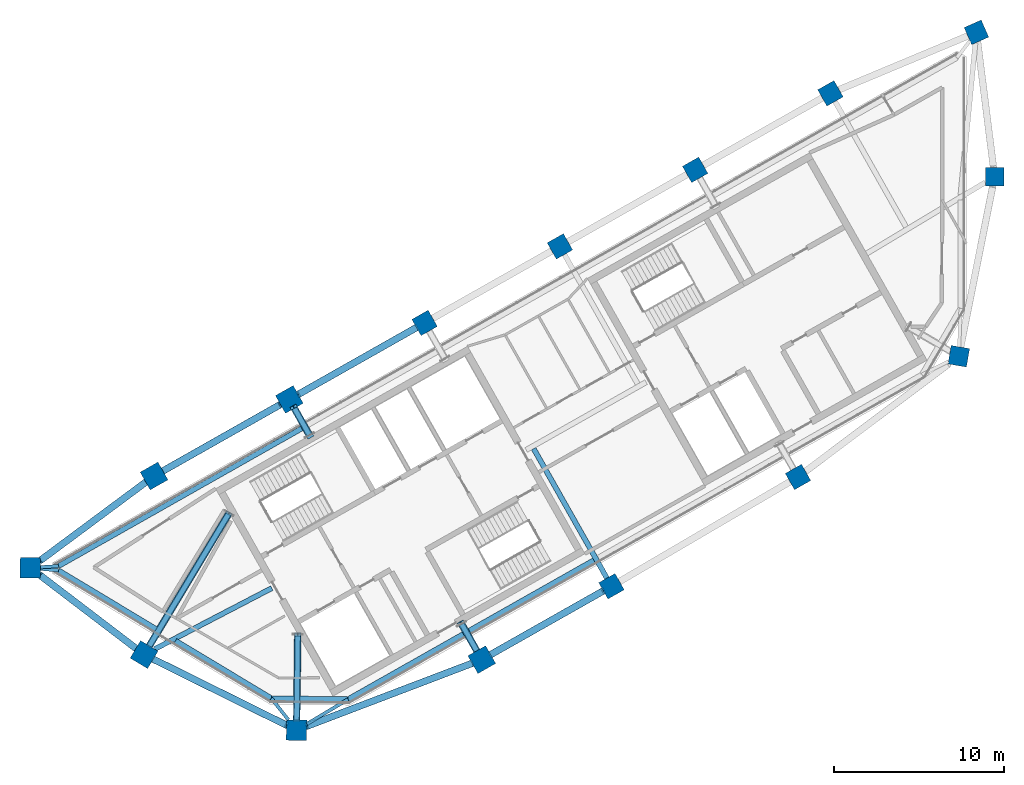
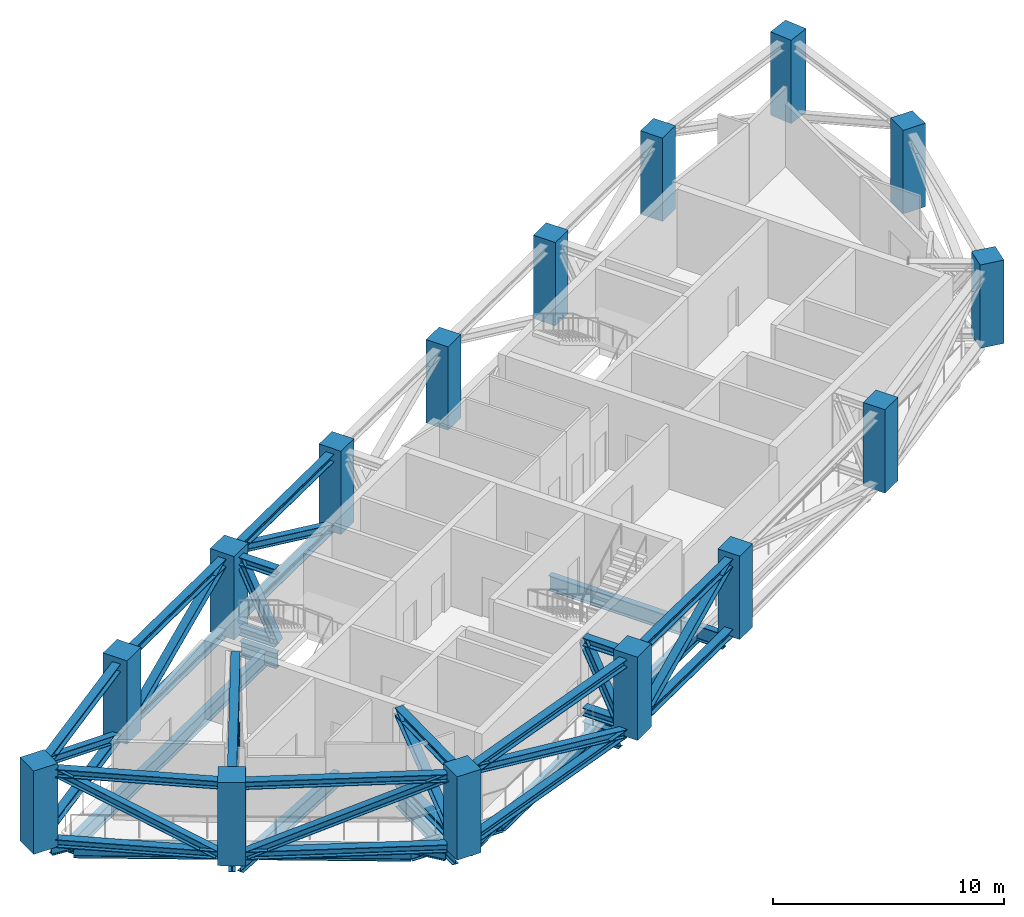
# One storey, part 1 of 10: 33 members, 17 beams, 15 columns.
"""IFC4 building model written with IfcOpenShell, lengths in metres."""

import ifcopenshell
import ifcopenshell.guid

model = None  # the IFC model being written
_history = None  # IfcOwnerHistory: only IFC2X3 demands one
_inside = {}  # id of a spatial element -> (the spatial element, [elements in it])
_under = {}  # id of a project, library or spatial element -> (it, [spatial elements below it])
_declared = {}  # id of a project -> (the project, [libraries it declares])
_typed = {}  # id of a type object -> (the type object, [elements of that type])
_made_of = {}  # id of a material, layer set ... -> (it, [elements and type objects made of it])


def new_model(schema):
    """Start an empty IFC model of exactly this schema.

    Asked for "IFC4X3", IfcOpenShell would pick the latest addendum, in which some entities
    have other attributes; the version numbers below select the first issue.
    IFC2X3 requires an IfcOwnerHistory on every rooted entity: one is made here for all.
    """
    global model, _history
    if schema == "IFC4X3":
        model = ifcopenshell.file(schema_version=(4, 3, 0, 0))
    else:
        model = ifcopenshell.file(schema=schema)
    _inside.clear()
    _under.clear()
    _declared.clear()
    _typed.clear()
    _made_of.clear()
    _history = None
    if model.schema == "IFC2X3":
        org = make("IfcOrganization", Name="unknown")
        user = make(
            "IfcPersonAndOrganization",
            ThePerson=make("IfcPerson", FamilyName="unknown"),
            TheOrganization=org,
        )
        app = make(
            "IfcApplication",
            ApplicationDeveloper=org,
            Version="unknown",
            ApplicationFullName="unknown",
            ApplicationIdentifier="unknown",
        )
        _history = make(
            "IfcOwnerHistory",
            OwningUser=user,
            OwningApplication=app,
            ChangeAction="ADDED",
            CreationDate=0,
        )
    return model


def make(cls, **values):
    """One entity of the class cls with the attributes given. An attribute that is None is left unset."""
    return model.create_entity(
        cls, **{name: value for name, value in values.items() if value is not None}
    )


def rooted(cls, **values):
    """An entity with a GlobalId (a new one), such as an element, a storey or a relation."""
    return make(cls, GlobalId=ifcopenshell.guid.new(), OwnerHistory=_history, **values)


def si_unit(unit_type, name, prefix=None):
    """IfcSIUnit, for example si_unit("LENGTHUNIT", "METRE", prefix="MILLI")."""
    return make("IfcSIUnit", UnitType=unit_type, Prefix=prefix, Name=name)


def assignment(units):
    """IfcUnitAssignment: the units of a project."""
    return None if units is None else make("IfcUnitAssignment", Units=units)


def point(xyz):
    """IfcCartesianPoint."""
    return None if xyz is None else make("IfcCartesianPoint", Coordinates=xyz)


def direction(xyz):
    """IfcDirection."""
    return None if xyz is None else make("IfcDirection", DirectionRatios=xyz)


def frame(location, z_axis=None, x_axis=None):
    """IfcAxis2Placement3D, a coordinate frame: its origin and axes. An axis left out is left unset."""
    return make(
        "IfcAxis2Placement3D",
        Location=point(location),
        Axis=direction(z_axis),
        RefDirection=direction(x_axis),
    )


def frame_2d(location, x_axis=None):
    """IfcAxis2Placement2D, a coordinate frame in the plane: its origin and x axis."""
    return make(
        "IfcAxis2Placement2D", Location=point(location), RefDirection=direction(x_axis)
    )


def origin():
    """The frame at (0, 0, 0) with its axes left unset."""
    return frame((0.0, 0.0, 0.0))


def origin_2d():
    """The frame at (0, 0) in the plane with its x axis left unset."""
    return frame_2d((0.0, 0.0))


def place(relative_to, where):
    """IfcLocalPlacement: puts the frame where relative to a parent placement (None: the world)."""
    return make(
        "IfcLocalPlacement", PlacementRelTo=relative_to, RelativePlacement=where
    )


def context(
    kind, dimensions, precision=None, world=None, true_north=None, identifier=None
):
    """IfcGeometricRepresentationContext, for example the 3D "Model" context."""
    return make(
        "IfcGeometricRepresentationContext",
        ContextIdentifier=identifier,
        ContextType=kind,
        CoordinateSpaceDimension=dimensions,
        Precision=precision,
        WorldCoordinateSystem=world,
        TrueNorth=true_north,
    )


def subcontext(parent, identifier, kind, view, scale=None):
    """IfcGeometricRepresentationSubContext, for example "Body" below "Model"."""
    return make(
        "IfcGeometricRepresentationSubContext",
        ContextIdentifier=identifier,
        ContextType=kind,
        ParentContext=parent,
        TargetScale=scale,
        TargetView=view,
    )


def project(units=None, contexts=None):
    """IfcProject with its units and contexts."""
    return rooted(
        "IfcProject",
        Name="project",
        RepresentationContexts=contexts,
        UnitsInContext=assignment(units),
    )


def spatial(cls, under=None, at=None, **own):
    """A site, building, storey or space (cls), placed at a placement, below another one or the project."""
    s = rooted(cls, ObjectPlacement=at, **own)
    if under is not None:
        _under.setdefault(under.id(), (under, []))[1].append(s)
    return s


def profile(cls, at=None, kind="AREA", **sizes):
    """A parametric profile (cls). Its sizes go by their IFC names, for example OverallWidth=200.0."""
    return make(cls, ProfileType=kind, Position=at, **sizes)


def rectangle(**sizes):
    """IfcRectangleProfileDef."""
    return profile("IfcRectangleProfileDef", **sizes)


def i_section(**sizes):
    """IfcIShapeProfileDef."""
    return profile("IfcIShapeProfileDef", **sizes)


def extrude(swept, where, along, depth):
    """IfcExtrudedAreaSolid: the profile swept, set in the frame where, extruded along a direction by depth."""
    return make(
        "IfcExtrudedAreaSolid",
        SweptArea=swept,
        Position=where,
        ExtrudedDirection=direction(along),
        Depth=depth,
    )


def shape(context_of_items, identifier, shape_type, items):
    """IfcShapeRepresentation: the items that make up one representation, for example the "Body"."""
    return make(
        "IfcShapeRepresentation",
        ContextOfItems=context_of_items,
        RepresentationIdentifier=identifier,
        RepresentationType=shape_type,
        Items=items,
    )


def material(Name=None, Category=None):
    """IfcMaterial."""
    return make("IfcMaterial", Name=Name, Category=Category)


def material_profile(
    of_material, cross_section, Name=None, Category=None, Priority=None
):
    """IfcMaterialProfile: a cross section and its material."""
    return make(
        "IfcMaterialProfile",
        Name=Name,
        Material=of_material,
        Profile=cross_section,
        Priority=Priority,
        Category=Category,
    )


def profile_set(profiles, Name=None, composite=None):
    """IfcMaterialProfileSet."""
    return make(
        "IfcMaterialProfileSet",
        Name=Name,
        MaterialProfiles=profiles,
        CompositeProfile=composite,
    )


def made_of(thing, what):
    """Note that an element or type object is made of a material, layer set ...; save() writes the relation."""
    if what is not None:
        _made_of.setdefault(what.id(), (what, []))[1].append(thing)
    return thing


def type_object(cls, material=None, **own):
    """A type object (cls), such as IfcWallType, which elements share."""
    return made_of(rooted(cls, **own), material)


def element(
    cls,
    number,
    at=None,
    inside=None,
    cuts=None,
    type_object=None,
    material=None,
    context=None,
    identifier="Body",
    shape_type=None,
    held_by="IfcProductDefinitionShape",
    body=None,
    shapes=None,
    **own,
):
    """One element of the class cls, such as IfcWall. Its Tag is "e" and its number.

    at: its placement. inside: the storey or other place that contains it. cuts: it is an
    opening in that element (IfcRelVoidsElement). A single representation is given by context,
    identifier, shape_type and body (its items); several are given by shapes. held_by: the class
    of the entity that holds the representations. save() writes the other relations.
    """
    e = rooted(cls, Tag="e%d" % number, ObjectPlacement=at, **own)
    if body is not None:
        shapes = [shape(context, identifier, shape_type, body)]
    if shapes is not None:
        e.Representation = make(held_by, Representations=shapes)
    if inside is not None:
        _inside.setdefault(inside.id(), (inside, []))[1].append(e)
    if cuts is not None:
        rooted(
            "IfcRelVoidsElement", RelatingBuildingElement=cuts, RelatedOpeningElement=e
        )
    if type_object is not None:
        _typed.setdefault(type_object.id(), (type_object, []))[1].append(e)
    return made_of(e, material)


def aggregate(whole, parts):
    """IfcRelAggregates: a whole, such as a stair, and the parts it consists of."""
    return rooted("IfcRelAggregates", RelatingObject=whole, RelatedObjects=parts)


def save(model, path):
    """Write the relations noted so far, then the file.

    IfcRelAggregates (storeys below a building ...), IfcRelContainedInSpatialStructure (elements
    in a storey), IfcRelDefinesByType, IfcRelAssociatesMaterial and IfcRelDeclares: one each for
    every whole, place, type object, material and project.
    """
    for whole, parts in _under.values():
        aggregate(whole, parts)
    for where, things in _inside.values():
        rooted(
            "IfcRelContainedInSpatialStructure",
            RelatedElements=things,
            RelatingStructure=where,
        )
    for kind, things in _typed.values():
        rooted("IfcRelDefinesByType", RelatedObjects=things, RelatingType=kind)
    for what, things in _made_of.values():
        rooted("IfcRelAssociatesMaterial", RelatedObjects=things, RelatingMaterial=what)
    for by, libraries in _declared.values():
        rooted("IfcRelDeclares", RelatingContext=by, RelatedDefinitions=libraries)
    model.write(path)


model = new_model("IFC4")

# Units and contexts
model_context = context("Model", 3, precision=1e-05, world=origin(), true_north=direction((0.0, 1.0)))
body_context = subcontext(model_context, "Body", "Model", "MODEL_VIEW")
ifc_project = project(units=[si_unit("LENGTHUNIT", "METRE"), si_unit("AREAUNIT", "SQUARE_METRE"), si_unit("VOLUMEUNIT", "CUBIC_METRE"), si_unit("PLANEANGLEUNIT", "RADIAN"), si_unit("MASSUNIT", "GRAM", prefix="KILO")], contexts=[model_context])

# Site, building, storey
site_placement = place(None, origin())
site = spatial("IfcSite", under=ifc_project, at=site_placement, CompositionType="ELEMENT")
building_placement = place(site_placement, origin())
building = spatial("IfcBuilding", under=site, at=building_placement, Name="Binnacle Exchange Tower", CompositionType="ELEMENT")
storey_placement = place(building_placement, frame((0.0, 0.0, 312.10009765625)))
storey = spatial("IfcBuildingStorey", under=building, at=storey_placement, Name="L70", CompositionType="ELEMENT", Elevation=312.10009765625)

# Columns
ifc_material_1 = material(Name="Concrete C60/75", Category="concrete")
ifc_material_profile_1 = material_profile(ifc_material_1, rectangle(XDim=1.10009765625, YDim=1.10009765625, at=origin_2d()), Name="Mega column 1100x1100 C60/75")
ifc_profile_set_1 = profile_set([ifc_material_profile_1], Name="Concrete C60/75")
column_type_1 = type_object("IfcColumnType", Name="Mega column 1100x1100 C60/75", PredefinedType="COLUMN", material=ifc_profile_set_1)
for number, where, z_axis, x_axis, name in (
    (1, (-10.4951171875, 64.901611328125, 0.0), (0.0, 0.0, 1.0), (-0.87035569594, -0.492423560103, 0.0), "S:COL:MC38:L70"),
    (2, (-18.44140625, 60.406005859375, 0.0), (0.0, 0.0, 1.0), (-0.87035569594, -0.492423560103, 0.0), "S:COL:MC29:L70"),
    (3, (-26.3876953125, 55.91015625, 0.0), (0.0, 0.0, 1.0), (-0.87035569594, -0.492423560103, 0.0), "S:COL:MC21:L70"),
    (4, (-34.333740234375, 51.414306640625, 0.0), (0.0, 0.0, 1.0), (-0.87035569594, -0.492423560103, 0.0), "S:COL:MC13:L70"),
    (5, (-23.35595703125, 35.9462890625, 0.0), (0.0, 0.0, 1.0), (0.87035569594, 0.492423560103, 0.0), "S:COL:MC16:L70"),
    (6, (-2.955322265625, 49.45556640625, 0.0), (0.0, 0.0, 1.0), (-0.98522612636, 0.171258517854, 0.0), "S:COL:MC43:L70"),
    (7, (-0.85009765625, 60.0, 0.0), (0.0, 0.0, 1.0), (0.0, 1.0, 0.0), "S:COL:MC45:L70"),
    (8, (-1.920166015625, 68.4833984375, 0.0), (0.0, 0.0, 1.0), (-0.91471298536, -0.40410413808, 0.0), "S:COL:MC44:L70"),
    (9, (-12.39990234375, 42.36328125, 0.0), (0.0, 0.0, 1.0), (0.87035569594, 0.492423560103, 0.0), "S:COL:MC30:L70"),
):
    element("IfcColumn", number, at=place(storey_placement, frame(where, z_axis=z_axis, x_axis=x_axis)), inside=storey, type_object=column_type_1, Name=name, PredefinedType="COLUMN", context=body_context, shape_type="SweptSolid", body=[
        extrude(rectangle(XDim=1.10009765625, YDim=1.10009765625, at=origin_2d()), origin(), (0.0, 0.0, 1.0), 4.39990234375),
    ])
ifc_material_profile_2 = material_profile(ifc_material_1, rectangle(XDim=1.199951171875, YDim=1.199951171875, at=origin_2d()), Name="Mega column 1200x1200 C60/75")
ifc_profile_set_2 = profile_set([ifc_material_profile_2], Name="Concrete C60/75")
column_type_2 = type_object("IfcColumnType", Name="Mega column 1200x1200 C60/75", PredefinedType="COLUMN", material=ifc_profile_set_2)
for number, where, z_axis, x_axis, name in (
    (10, (-42.280029296875, 46.918701171875, 0.0), (0.0, 0.0, 1.0), (-0.87035569594, -0.492423560103, 0.0), "S:COL:MC08:L70"),
    (11, (-50.226318359375, 42.4228515625, 0.0), (0.0, 0.0, 1.0), (-0.87035569594, -0.492423560103, 0.0), "S:COL:MC04:L70"),
    (12, (-57.492919921875, 37.02734375, 0.0), (0.0, 0.0, 1.0), (-0.013089595571, -0.999914327574, 0.0), "S:COL:MC02:L70"),
    (13, (-50.81201171875, 31.930908203125, 0.0), (0.0, 0.0, 1.0), (0.857167300702, -0.51503807491, 0.0), "S:COL:MC01:L70"),
    (14, (-41.857666015625, 27.494873046875, 0.0), (0.0, 0.0, 1.0), (0.999914327574, -0.013089595571, 0.0), "S:COL:MC03:L70"),
    (15, (-30.9755859375, 31.63525390625, 0.0), (0.0, 0.0, 1.0), (0.87035569594, 0.492423560103, 0.0), "S:COL:MC07:L70"),
):
    element("IfcColumn", number, at=place(storey_placement, frame(where, z_axis=z_axis, x_axis=x_axis)), inside=storey, type_object=column_type_2, Name=name, PredefinedType="COLUMN", context=body_context, shape_type="SweptSolid", body=[
        extrude(rectangle(XDim=1.199951171875, YDim=1.199951171875, at=origin_2d()), origin(), (0.0, 0.0, 1.0), 4.39990234375),
    ])

# Members
ifc_material_2 = material(Name="Steel S355 (SHN355)", Category="steel")
ifc_material_profile_3 = material_profile(ifc_material_2, i_section(OverallWidth=0.405029296875, OverallDepth=0.4140625, WebThickness=0.01806640625, FlangeThickness=0.028076171875, FilletRadius=0.02197265625, at=origin_2d()), Name="H 414x405x18x28")
ifc_profile_set_3 = profile_set([ifc_material_profile_3], Name="Steel S355 (SHN355)")
member_type_1 = type_object("IfcMemberType", Name="Belt truss chord BT70C H 414x405x18x28 Steel S355 (SHN355)", PredefinedType="CHORD", material=ifc_profile_set_3)
for number, where, z_axis, x_axis, name in (
    (16, (-34.8125, 51.1435546875, 3.912841796875), (-0.870357059543, -0.492421149935, 0.0), (0.492421149935, -0.870357059543, 0.0), "S:TR:L70:BEL:019"),
    (17, (-34.8125, 51.1435546875, 0.206787109375), (-0.870357059543, -0.492421149935, 0.0), (0.492421149935, -0.870357059543, 0.0), "S:TR:L70:BEL:020"),
):
    element("IfcMember", number, at=place(storey_placement, frame(where, z_axis=z_axis, x_axis=x_axis)), inside=storey, type_object=member_type_1, Name=name, PredefinedType="CHORD", context=body_context, shape_type="SweptSolid", body=[
        extrude(i_section(OverallWidth=0.405029296875, OverallDepth=0.4140625, WebThickness=0.01806640625, FlangeThickness=0.028076171875, FilletRadius=0.02197265625, at=origin_2d()), origin(), (0.0, 0.0, 1.0), 7.979736328125),
    ])
for number, where, z_axis, x_axis, name in (
    (18, (-42.80224609375, 46.623291015625, 3.912841796875), (-0.870360926906, -0.492414314288, 0.0), (0.492414314288, -0.870360926906, 0.0), "S:TR:L70:BEL:022"),
    (19, (-42.80224609375, 46.623291015625, 0.206787109375), (-0.870360926906, -0.492414314288, 0.0), (0.492414314288, -0.870360926906, 0.0), "S:TR:L70:BEL:023"),
):
    element("IfcMember", number, at=place(storey_placement, frame(where, z_axis=z_axis, x_axis=x_axis)), inside=storey, type_object=member_type_1, Name=name, PredefinedType="CHORD", context=body_context, shape_type="SweptSolid", body=[
        extrude(i_section(OverallWidth=0.405029296875, OverallDepth=0.4140625, WebThickness=0.01806640625, FlangeThickness=0.028076171875, FilletRadius=0.02197265625, at=origin_2d()), origin(), (0.0, 0.0, 1.0), 7.929931640625),
    ])
for number, where, z_axis, x_axis, name in (
    (20, (-50.711669921875, 42.0625, 3.912841796875), (-0.802889255085, -0.596128211099, 0.0), (0.596128211099, -0.802889255085, 0.0), "S:TR:L70:BEL:025"),
    (21, (-50.711669921875, 42.0625, 0.206787109375), (-0.802889255085, -0.596128211099, 0.0), (0.596128211099, -0.802889255085, 0.0), "S:TR:L70:BEL:026"),
):
    element("IfcMember", number, at=place(storey_placement, frame(where, z_axis=z_axis, x_axis=x_axis)), inside=storey, type_object=member_type_1, Name=name, PredefinedType="CHORD", context=body_context, shape_type="SweptSolid", body=[
        extrude(i_section(OverallWidth=0.405029296875, OverallDepth=0.4140625, WebThickness=0.01806640625, FlangeThickness=0.028076171875, FilletRadius=0.02197265625, at=origin_2d()), origin(), (0.0, 0.0, 1.0), 7.691650390625),
    ])
for number, where, z_axis, x_axis, name in (
    (22, (-56.89892578125, 36.57421875, 3.912841796875), (0.795079526259, -0.606505191176, 0.0), (0.606505191176, 0.795079526259, 0.0), "S:TR:L70:BEL:028"),
    (23, (-56.89892578125, 36.57421875, 0.206787109375), (0.795079526259, -0.606505191176, 0.0), (0.606505191176, 0.795079526259, 0.0), "S:TR:L70:BEL:029"),
):
    element("IfcMember", number, at=place(storey_placement, frame(where, z_axis=z_axis, x_axis=x_axis)), inside=storey, type_object=member_type_1, Name=name, PredefinedType="CHORD", context=body_context, shape_type="SweptSolid", body=[
        extrude(i_section(OverallWidth=0.405029296875, OverallDepth=0.4140625, WebThickness=0.01806640625, FlangeThickness=0.028076171875, FilletRadius=0.02197265625, at=origin_2d()), origin(), (0.0, 0.0, 1.0), 7.052001953125),
    ])
for number, where, z_axis, x_axis, name in (
    (24, (-50.272705078125, 31.663818359375, 3.912841796875), (0.896066323919, -0.443920199066, 0.0), (0.443920199066, 0.896066323919, 0.0), "S:TR:L70:BEL:031"),
    (25, (-50.272705078125, 31.663818359375, 0.206787109375), (0.896066323919, -0.443920199066, 0.0), (0.443920199066, 0.896066323919, 0.0), "S:TR:L70:BEL:032"),
):
    element("IfcMember", number, at=place(storey_placement, frame(where, z_axis=z_axis, x_axis=x_axis)), inside=storey, type_object=member_type_1, Name=name, PredefinedType="CHORD", context=body_context, shape_type="SweptSolid", body=[
        extrude(i_section(OverallWidth=0.405029296875, OverallDepth=0.4140625, WebThickness=0.01806640625, FlangeThickness=0.028076171875, FilletRadius=0.02197265625, at=origin_2d()), origin(), (0.0, 0.0, 1.0), 8.725830078125),
    ])
for number, where, z_axis, x_axis, name in (
    (26, (-41.254638671875, 27.724365234375, 3.912841796875), (0.934635421438, 0.355607408519, 0.0), (-0.355607408519, 0.934635421438, 0.0), "S:TR:L70:BEL:034"),
    (27, (-41.254638671875, 27.724365234375, 0.206787109375), (0.934635421438, 0.355607408519, 0.0), (-0.355607408519, 0.934635421438, 0.0), "S:TR:L70:BEL:035"),
):
    element("IfcMember", number, at=place(storey_placement, frame(where, z_axis=z_axis, x_axis=x_axis)), inside=storey, type_object=member_type_1, Name=name, PredefinedType="CHORD", context=body_context, shape_type="SweptSolid", body=[
        extrude(i_section(OverallWidth=0.405029296875, OverallDepth=0.4140625, WebThickness=0.01806640625, FlangeThickness=0.028076171875, FilletRadius=0.02197265625, at=origin_2d()), origin(), (0.0, 0.0, 1.0), 10.390869140625),
    ])
for number, where, z_axis, x_axis, name in (
    (28, (-30.453369140625, 31.930908203125, 3.912841796875), (0.870370831478, 0.49239680717, 0.0), (-0.49239680717, 0.870370831478, 0.0), "S:TR:L70:BEL:037"),
    (29, (-30.453369140625, 31.930908203125, 0.206787109375), (0.870370831478, 0.49239680717, 0.0), (-0.49239680717, 0.870370831478, 0.0), "S:TR:L70:BEL:038"),
):
    element("IfcMember", number, at=place(storey_placement, frame(where, z_axis=z_axis, x_axis=x_axis)), inside=storey, type_object=member_type_1, Name=name, PredefinedType="CHORD", context=body_context, shape_type="SweptSolid", body=[
        extrude(i_section(OverallWidth=0.405029296875, OverallDepth=0.4140625, WebThickness=0.01806640625, FlangeThickness=0.028076171875, FilletRadius=0.02197265625, at=origin_2d()), origin(), (0.0, 0.0, 1.0), 7.6044921875),
    ])
ifc_material_profile_4 = material_profile(ifc_material_2, i_section(OverallWidth=0.39794921875, OverallDepth=0.39404296875, WebThickness=0.010986328125, FlangeThickness=0.01806640625, FilletRadius=0.02197265625, at=origin_2d()), Name="H 394x398x11x18")
ifc_profile_set_4 = profile_set([ifc_material_profile_4], Name="Steel S355 (SHN355)")
member_type_2 = type_object("IfcMemberType", Name="Belt truss diagonal BT70D H 394x398x11x18 Steel S355 (SHN355)", PredefinedType="BRACE", material=ifc_profile_set_4)
member_1_placement = place(storey_placement, frame((-34.8125, 51.1435546875, 0.206787109375), z_axis=(-0.789379045311, -0.446606289872, 0.421216743104), x_axis=(0.492421149935, -0.870357059543, 0.0)))
element("IfcMember", 30, at=member_1_placement, inside=storey, type_object=member_type_2, Name="S:TR:L70:BEL:021", PredefinedType="BRACE", context=body_context, shape_type="SweptSolid", body=[
    extrude(i_section(OverallWidth=0.39794921875, OverallDepth=0.39404296875, WebThickness=0.010986328125, FlangeThickness=0.01806640625, FilletRadius=0.02197265625, at=origin_2d()), origin(), (0.0, 0.0, 1.0), 8.79833984375),
])
member_2_placement = place(storey_placement, frame((-42.80224609375, 46.623291015625, 3.912841796875), z_axis=(-0.788498786353, -0.446100091579, -0.423396235474), x_axis=(0.492414314288, -0.870360926906, 0.0)))
element("IfcMember", 31, at=member_2_placement, inside=storey, type_object=member_type_2, Name="S:TR:L70:BEL:024", PredefinedType="BRACE", context=body_context, shape_type="SweptSolid", body=[
    extrude(i_section(OverallWidth=0.39794921875, OverallDepth=0.39404296875, WebThickness=0.010986328125, FlangeThickness=0.01806640625, FilletRadius=0.02197265625, at=origin_2d()), origin(), (0.0, 0.0, 1.0), 8.753173828125),
])
member_3_placement = place(storey_placement, frame((-50.711669921875, 42.0625, 0.206787109375), z_axis=(-0.723306344364, -0.537039590967, 0.434069591123), x_axis=(0.596128211099, -0.802889255085, 0.0)))
element("IfcMember", 32, at=member_3_placement, inside=storey, type_object=member_type_2, Name="S:TR:L70:BEL:027", PredefinedType="BRACE", context=body_context, shape_type="SweptSolid", body=[
    extrude(i_section(OverallWidth=0.39794921875, OverallDepth=0.39404296875, WebThickness=0.010986328125, FlangeThickness=0.01806640625, FilletRadius=0.02197265625, at=origin_2d()), origin(), (0.0, 0.0, 1.0), 8.537841796875),
])
member_4_placement = place(storey_placement, frame((-56.89892578125, 36.57421875, 3.912841796875), z_axis=(0.703808350291, -0.536881411162, -0.465201199922), x_axis=(0.606505191176, 0.795079526259, 0.0)))
element("IfcMember", 33, at=member_4_placement, inside=storey, type_object=member_type_2, Name="S:TR:L70:BEL:030", PredefinedType="BRACE", context=body_context, shape_type="SweptSolid", body=[
    extrude(i_section(OverallWidth=0.39794921875, OverallDepth=0.39404296875, WebThickness=0.010986328125, FlangeThickness=0.01806640625, FilletRadius=0.02197265625, at=origin_2d()), origin(), (0.0, 0.0, 1.0), 7.966552734375),
])
member_5_placement = place(storey_placement, frame((-50.272705078125, 31.663818359375, 0.206787109375), z_axis=(0.824758759643, -0.408593720118, 0.390927308168), x_axis=(0.443920199066, 0.896066323919, 0.0)))
element("IfcMember", 34, at=member_5_placement, inside=storey, type_object=member_type_2, Name="S:TR:L70:BEL:033", PredefinedType="BRACE", context=body_context, shape_type="SweptSolid", body=[
    extrude(i_section(OverallWidth=0.39794921875, OverallDepth=0.39404296875, WebThickness=0.010986328125, FlangeThickness=0.01806640625, FilletRadius=0.02197265625, at=origin_2d()), origin(), (0.0, 0.0, 1.0), 9.480224609375),
])
member_6_placement = place(storey_placement, frame((-41.254638671875, 27.724365234375, 3.912841796875), z_axis=(0.88031859153, 0.334941096629, -0.335936957174), x_axis=(-0.355607408519, 0.934635421438, 0.0)))
element("IfcMember", 35, at=member_6_placement, inside=storey, type_object=member_type_2, Name="S:TR:L70:BEL:036", PredefinedType="BRACE", context=body_context, shape_type="SweptSolid", body=[
    extrude(i_section(OverallWidth=0.39794921875, OverallDepth=0.39404296875, WebThickness=0.010986328125, FlangeThickness=0.01806640625, FilletRadius=0.02197265625, at=origin_2d()), origin(), (0.0, 0.0, 1.0), 11.031982421875),
])
member_7_placement = place(storey_placement, frame((-30.453369140625, 31.930908203125, 0.206787109375), z_axis=(0.782400084477, 0.442628922745, 0.438097870983), x_axis=(-0.49239680717, 0.870370831478, 0.0)))
element("IfcMember", 36, at=member_7_placement, inside=storey, type_object=member_type_2, Name="S:TR:L70:BEL:039", PredefinedType="BRACE", context=body_context, shape_type="SweptSolid", body=[
    extrude(i_section(OverallWidth=0.39794921875, OverallDepth=0.39404296875, WebThickness=0.010986328125, FlangeThickness=0.01806640625, FilletRadius=0.02197265625, at=origin_2d()), origin(), (0.0, 0.0, 1.0), 8.45947265625),
])

# Beams
ifc_material_profile_5 = material_profile(ifc_material_2, i_section(OverallWidth=0.300048828125, OverallDepth=0.800048828125, WebThickness=0.013916015625, FlangeThickness=0.02587890625, FilletRadius=0.028076171875, at=origin_2d()), Name="H 800x300x14x26")
ifc_profile_set_5 = profile_set([ifc_material_profile_5], Name="Steel S355 (SHN355)")
beam_type_1 = type_object("IfcBeamType", Name="Edge girder H 800x300x14x26 Steel S355 (SHN355)", PredefinedType="SPANDREL", material=ifc_profile_set_5)
beam_1_placement = place(storey_placement, frame((-55.841552734375, 37.1318359375, -0.75), z_axis=(0.870354900984, 0.492424965181, 0.0), x_axis=(-0.492424965181, 0.870354900984, 0.0)))
element("IfcBeam", 37, at=beam_1_placement, inside=storey, type_object=beam_type_1, Name="S:BM:edge:L70:004", PredefinedType="SPANDREL", context=body_context, shape_type="SweptSolid", body=[
    extrude(i_section(OverallWidth=0.300048828125, OverallDepth=0.800048828125, WebThickness=0.013916015625, FlangeThickness=0.02587890625, FilletRadius=0.028076171875, at=origin_2d()), origin(), (0.0, 0.0, 1.0), 16.47216796875),
])
beam_2_placement = place(storey_placement, frame((-50.0908203125, 33.422607421875, -0.75), z_axis=(-0.857168634493, 0.515035855103, 0.0), x_axis=(-0.515035855103, -0.857168634493, 0.0)))
element("IfcBeam", 38, at=beam_2_placement, inside=storey, type_object=beam_type_1, Name="S:BM:edge:L70:005", PredefinedType="SPANDREL", context=body_context, shape_type="SweptSolid", body=[
    extrude(i_section(OverallWidth=0.300048828125, OverallDepth=0.800048828125, WebThickness=0.013916015625, FlangeThickness=0.02587890625, FilletRadius=0.028076171875, at=origin_2d()), origin(), (0.0, 0.0, 1.0), 6.712646484375),
])
beam_3_placement = place(storey_placement, frame((-43.336669921875, 29.364013671875, -0.75), z_axis=(-0.857151672903, 0.515064083041, 0.0), x_axis=(-0.515064083041, -0.857151672903, 0.0)))
element("IfcBeam", 39, at=beam_3_placement, inside=storey, type_object=beam_type_1, Name="S:BM:edge:L70:006", PredefinedType="SPANDREL", context=body_context, shape_type="SweptSolid", body=[
    extrude(i_section(OverallWidth=0.300048828125, OverallDepth=0.800048828125, WebThickness=0.013916015625, FlangeThickness=0.02587890625, FilletRadius=0.028076171875, at=origin_2d()), origin(), (0.0, 0.0, 1.0), 6.568603515625),
])
beam_4_placement = place(storey_placement, frame((-41.9833984375, 29.346435546875, -0.75), z_axis=(-0.99991564899, 0.012988260279, 0.0), x_axis=(-0.012988260279, -0.99991564899, 0.0)))
element("IfcBeam", 40, at=beam_4_placement, inside=storey, type_object=beam_type_1, Name="S:BM:edge:L70:007", PredefinedType="SPANDREL", context=body_context, shape_type="SweptSolid", body=[
    extrude(i_section(OverallWidth=0.300048828125, OverallDepth=0.800048828125, WebThickness=0.013916015625, FlangeThickness=0.02587890625, FilletRadius=0.028076171875, at=origin_2d()), origin(), (0.0, 0.0, 1.0), 1.353271484375),
])
beam_5_placement = place(storey_placement, frame((-38.830810546875, 29.30517578125, -0.75), z_axis=(-0.999914288402, 0.013092587602, 0.0), x_axis=(-0.013092587602, -0.999914288402, 0.0)))
element("IfcBeam", 41, at=beam_5_placement, inside=storey, type_object=beam_type_1, Name="S:BM:edge:L70:009", PredefinedType="SPANDREL", context=body_context, shape_type="SweptSolid", body=[
    extrude(i_section(OverallWidth=0.300048828125, OverallDepth=0.800048828125, WebThickness=0.013916015625, FlangeThickness=0.02587890625, FilletRadius=0.028076171875, at=origin_2d()), origin(), (0.0, 0.0, 1.0), 2.85302734375),
])
beam_6_placement = place(storey_placement, frame((-32.012451171875, 33.162841796875, -0.75), z_axis=(-0.870354388995, -0.492425870113, 0.0), x_axis=(0.492425870113, -0.870354388995, 0.0)))
element("IfcBeam", 42, at=beam_6_placement, inside=storey, type_object=beam_type_1, Name="S:BM:edge:L70:011", PredefinedType="SPANDREL", context=body_context, shape_type="SweptSolid", body=[
    extrude(i_section(OverallWidth=0.300048828125, OverallDepth=0.800048828125, WebThickness=0.013916015625, FlangeThickness=0.02587890625, FilletRadius=0.028076171875, at=origin_2d()), origin(), (0.0, 0.0, 1.0), 7.833984375),
])
beam_7_placement = place(storey_placement, frame((-24.392333984375, 37.47412109375, -0.75), z_axis=(-0.870349793829, -0.492433991904, 0.0), x_axis=(0.492433991904, -0.870349793829, 0.0)))
element("IfcBeam", 43, at=beam_7_placement, inside=storey, type_object=beam_type_1, Name="S:BM:edge:L70:013", PredefinedType="SPANDREL", context=body_context, shape_type="SweptSolid", body=[
    extrude(i_section(OverallWidth=0.300048828125, OverallDepth=0.800048828125, WebThickness=0.013916015625, FlangeThickness=0.02587890625, FilletRadius=0.028076171875, at=origin_2d()), origin(), (0.0, 0.0, 1.0), 8.455078125),
])
ifc_material_profile_6 = material_profile(ifc_material_2, i_section(OverallWidth=0.199951171875, OverallDepth=0.39990234375, WebThickness=0.008056640625, FlangeThickness=0.012939453125, FilletRadius=0.01611328125, at=origin_2d()), Name="H 400x200x8x13")
ifc_profile_set_6 = profile_set([ifc_material_profile_6], Name="Steel S355 (SHN355)")
beam_type_2 = type_object("IfcBeamType", Name="Floor beam H 400x200x8x13 Steel S355 (SHN355)", PredefinedType="BEAM", material=ifc_profile_set_6)
for number, where, z_axis, x_axis, name in (
    (44, (-56.893798828125, 36.9736328125, -0.550048828125), (0.996030735889, -0.089009961038, 0.0), (0.089009961038, 0.996030735889, 0.0), "S:BM:cross:L70:022"),
    (45, (-56.892578125, 37.0654296875, -0.550048828125), (0.998009951809, 0.063056610196, 0.0), (-0.063056610196, 0.998009951809, 0.0), "S:BM:cross:L70:023"),
):
    element("IfcBeam", number, at=place(storey_placement, frame(where, z_axis=z_axis, x_axis=x_axis)), inside=storey, type_object=beam_type_2, Name=name, PredefinedType="BEAM", context=body_context, shape_type="SweptSolid", body=[
        extrude(i_section(OverallWidth=0.199951171875, OverallDepth=0.39990234375, WebThickness=0.008056640625, FlangeThickness=0.012939453125, FilletRadius=0.01611328125, at=origin_2d()), origin(), (0.0, 0.0, 1.0), 1.05322265625),
    ])
beam_8_placement = place(storey_placement, frame((-42.33740234375, 28.10107421875, -0.550048828125), z_axis=(-0.620489357887, 0.784214866442, 0.0), x_axis=(-0.784214866442, -0.620489357887, 0.0)))
element("IfcBeam", 46, at=beam_8_placement, inside=storey, type_object=beam_type_2, Name="S:BM:cross:L70:025", PredefinedType="BEAM", context=body_context, shape_type="SweptSolid", body=[
    extrude(i_section(OverallWidth=0.199951171875, OverallDepth=0.39990234375, WebThickness=0.008056640625, FlangeThickness=0.012939453125, FilletRadius=0.01611328125, at=origin_2d()), origin(), (0.0, 0.0, 1.0), 1.6103515625),
])
beam_9_placement = place(storey_placement, frame((-41.2529296875, 27.8564453125, -0.550048828125), z_axis=(0.858201947732, 0.513312202182, 0.0), x_axis=(-0.513312202182, 0.858201947732, 0.0)))
element("IfcBeam", 47, at=beam_9_placement, inside=storey, type_object=beam_type_2, Name="S:BM:cross:L70:028", PredefinedType="BEAM", context=body_context, shape_type="SweptSolid", body=[
    extrude(i_section(OverallWidth=0.199951171875, OverallDepth=0.39990234375, WebThickness=0.008056640625, FlangeThickness=0.012939453125, FilletRadius=0.01611328125, at=origin_2d()), origin(), (0.0, 0.0, 1.0), 2.822265625),
])
ifc_material_profile_7 = material_profile(ifc_material_2, i_section(OverallWidth=0.300048828125, OverallDepth=0.800048828125, WebThickness=0.013916015625, FlangeThickness=0.02587890625, FilletRadius=0.028076171875, at=origin_2d()), Name="H 800x300x14x26")
ifc_profile_set_7 = profile_set([ifc_material_profile_7], Name="Steel S355 (SHN355)")
beam_type_3 = type_object("IfcBeamType", Name="Floor beam H 800x300x14x26 Steel S355 (SHN355)", PredefinedType="BEAM", material=ifc_profile_set_7)
beam_10_placement = place(storey_placement, frame((-41.984619140625, 46.396484375, -0.75), z_axis=(0.492465079532, -0.87033220407, 0.0), x_axis=(0.87033220407, 0.492465079532, 0.0)))
element("IfcBeam", 48, at=beam_10_placement, inside=storey, type_object=beam_type_3, Name="S:BM:cross:L70:026", PredefinedType="BEAM", context=body_context, shape_type="SweptSolid", body=[
    extrude(i_section(OverallWidth=0.300048828125, OverallDepth=0.800048828125, WebThickness=0.013916015625, FlangeThickness=0.02587890625, FilletRadius=0.028076171875, at=origin_2d()), origin(), (0.0, 0.0, 1.0), 1.834228515625),
])
beam_11_placement = place(storey_placement, frame((-41.849853515625, 28.0947265625, -0.75), z_axis=(0.013099523714, 0.999914197558, 0.0), x_axis=(-0.999914197558, 0.013099523714, 0.0)))
element("IfcBeam", 49, at=beam_11_placement, inside=storey, type_object=beam_type_3, Name="S:BM:cross:L70:027", PredefinedType="BEAM", context=body_context, shape_type="SweptSolid", body=[
    extrude(i_section(OverallWidth=0.300048828125, OverallDepth=0.800048828125, WebThickness=0.013916015625, FlangeThickness=0.02587890625, FilletRadius=0.028076171875, at=origin_2d()), origin(), (0.0, 0.0, 1.0), 5.05078125),
])
beam_12_placement = place(storey_placement, frame((-31.27099609375, 32.157470703125, -0.75), z_axis=(-0.492465079532, 0.87033220407, 0.0), x_axis=(-0.87033220407, -0.492465079532, 0.0)))
element("IfcBeam", 50, at=beam_12_placement, inside=storey, type_object=beam_type_3, Name="S:BM:cross:L70:030", PredefinedType="BEAM", context=body_context, shape_type="SweptSolid", body=[
    extrude(i_section(OverallWidth=0.300048828125, OverallDepth=0.800048828125, WebThickness=0.013916015625, FlangeThickness=0.02587890625, FilletRadius=0.028076171875, at=origin_2d()), origin(), (0.0, 0.0, 1.0), 1.834228515625),
])
ifc_material_profile_8 = material_profile(ifc_material_2, i_section(OverallWidth=0.302001953125, OverallDepth=0.80810546875, WebThickness=0.01611328125, FlangeThickness=0.030029296875, FilletRadius=0.028076171875, at=origin_2d()), Name="H 808x302x16x30")
ifc_profile_set_8 = profile_set([ifc_material_profile_8], Name="Steel S355 (SHN355)")
beam_type_4 = type_object("IfcBeamType", Name="Floor beam H 808x302x16x30 Steel S355 (SHN355)", PredefinedType="BEAM", material=ifc_profile_set_8)
beam_13_placement = place(storey_placement, frame((-50.5029296875, 32.4453125, -0.754150390625), z_axis=(0.515043161506, 0.857164244346, 0.0), x_axis=(-0.857164244346, 0.515043161506, 0.0)))
element("IfcBeam", 51, at=beam_13_placement, inside=storey, type_object=beam_type_4, Name="S:BM:cross:L70:024", PredefinedType="BEAM", context=body_context, shape_type="SweptSolid", body=[
    extrude(i_section(OverallWidth=0.302001953125, OverallDepth=0.80810546875, WebThickness=0.01611328125, FlangeThickness=0.030029296875, FilletRadius=0.028076171875, at=origin_2d()), origin(), (0.0, 0.0, 1.0), 9.114990234375),
])
beam_14_placement = place(storey_placement, frame((-23.626708984375, 36.4248046875, -0.754150390625), z_axis=(-0.492422866295, 0.870356088477, 0.0), x_axis=(-0.870356088477, -0.492422866295, 0.0)))
element("IfcBeam", 52, at=beam_14_placement, inside=storey, type_object=beam_type_4, Name="S:BM:cross:L70:032", PredefinedType="BEAM", context=body_context, shape_type="SweptSolid", body=[
    extrude(i_section(OverallWidth=0.302001953125, OverallDepth=0.80810546875, WebThickness=0.01611328125, FlangeThickness=0.030029296875, FilletRadius=0.028076171875, at=origin_2d()), origin(), (0.0, 0.0, 1.0), 8.734375),
])

# Members
ifc_material_profile_9 = material_profile(ifc_material_2, i_section(OverallWidth=0.406982421875, OverallDepth=0.427978515625, WebThickness=0.02001953125, FlangeThickness=0.034912109375, FilletRadius=0.02197265625, at=origin_2d()), Name="H 428x407x20x35")
ifc_profile_set_9 = profile_set([ifc_material_profile_9], Name="Steel S355 (SHN355)")
member_type_3 = type_object("IfcMemberType", Name="Outrigger truss chord OT70C H 428x407x20x35 Steel S355 (SHN355)", PredefinedType="CHORD", material=ifc_profile_set_9)
for number, where, z_axis, x_axis, name in (
    (53, (-50.5029296875, 32.4453125, 3.906005859375), (0.515025799066, 0.857174676653, 0.0), (-0.857174676653, 0.515025799066, 0.0), "S:TR:L70:OUT:046"),
    (54, (-50.5029296875, 32.4453125, 0.2138671875), (0.515025799066, 0.857174676653, 0.0), (-0.857174676653, 0.515025799066, 0.0), "S:TR:L70:OUT:047"),
):
    element("IfcMember", number, at=place(storey_placement, frame(where, z_axis=z_axis, x_axis=x_axis)), inside=storey, type_object=member_type_3, Name=name, PredefinedType="CHORD", context=body_context, shape_type="SweptSolid", body=[
        extrude(i_section(OverallWidth=0.406982421875, OverallDepth=0.427978515625, WebThickness=0.02001953125, FlangeThickness=0.034912109375, FilletRadius=0.02197265625, at=origin_2d()), origin(), (0.0, 0.0, 1.0), 9.074951171875),
    ])
for number, where, z_axis, x_axis, name in (
    (55, (-41.984619140625, 46.396484375, 3.906005859375), (0.492397951558, -0.870370184061, 0.0), (0.870370184061, 0.492397951558, 0.0), "S:TR:L70:OUT:049"),
    (56, (-41.984619140625, 46.396484375, 0.2138671875), (0.492397951558, -0.870370184061, 0.0), (0.870370184061, 0.492397951558, 0.0), "S:TR:L70:OUT:050"),
):
    element("IfcMember", number, at=place(storey_placement, frame(where, z_axis=z_axis, x_axis=x_axis)), inside=storey, type_object=member_type_3, Name=name, PredefinedType="CHORD", context=body_context, shape_type="SweptSolid", body=[
        extrude(i_section(OverallWidth=0.406982421875, OverallDepth=0.427978515625, WebThickness=0.02001953125, FlangeThickness=0.034912109375, FilletRadius=0.02197265625, at=origin_2d()), origin(), (0.0, 0.0, 1.0), 1.79443359375),
    ])
for number, where, z_axis, x_axis, name in (
    (57, (-41.849853515625, 28.0947265625, 3.906005859375), (0.013106758291, 0.999914102754, 0.0), (-0.999914102754, 0.013106758291, 0.0), "S:TR:L70:OUT:052"),
    (58, (-41.849853515625, 28.0947265625, 0.2138671875), (0.013106758291, 0.999914102754, 0.0), (-0.999914102754, 0.013106758291, 0.0), "S:TR:L70:OUT:053"),
):
    element("IfcMember", number, at=place(storey_placement, frame(where, z_axis=z_axis, x_axis=x_axis)), inside=storey, type_object=member_type_3, Name=name, PredefinedType="CHORD", context=body_context, shape_type="SweptSolid", body=[
        extrude(i_section(OverallWidth=0.406982421875, OverallDepth=0.427978515625, WebThickness=0.02001953125, FlangeThickness=0.034912109375, FilletRadius=0.02197265625, at=origin_2d()), origin(), (0.0, 0.0, 1.0), 5.0107421875),
    ])
for number, where, z_axis, x_axis, name in (
    (59, (-31.27099609375, 32.157470703125, 3.906005859375), (-0.49245626801, 0.870337189885, 0.0), (-0.870337189885, -0.49245626801, 0.0), "S:TR:L70:OUT:058"),
    (60, (-31.27099609375, 32.157470703125, 0.2138671875), (-0.49245626801, 0.870337189885, 0.0), (-0.870337189885, -0.49245626801, 0.0), "S:TR:L70:OUT:059"),
):
    element("IfcMember", number, at=place(storey_placement, frame(where, z_axis=z_axis, x_axis=x_axis)), inside=storey, type_object=member_type_3, Name=name, PredefinedType="CHORD", context=body_context, shape_type="SweptSolid", body=[
        extrude(i_section(OverallWidth=0.406982421875, OverallDepth=0.427978515625, WebThickness=0.02001953125, FlangeThickness=0.034912109375, FilletRadius=0.02197265625, at=origin_2d()), origin(), (0.0, 0.0, 1.0), 1.794189453125),
    ])
ifc_material_profile_10 = material_profile(ifc_material_2, i_section(OverallWidth=0.403076171875, OverallDepth=0.406005859375, WebThickness=0.01611328125, FlangeThickness=0.02392578125, FilletRadius=0.02197265625, at=origin_2d()), Name="H 406x403x16x24")
ifc_profile_set_10 = profile_set([ifc_material_profile_10], Name="Steel S355 (SHN355)")
member_type_4 = type_object("IfcMemberType", Name="Outrigger truss diagonal OT70D H 406x403x16x24 Steel S355 (SHN355)", PredefinedType="BRACE", material=ifc_profile_set_10)
member_8_placement = place(storey_placement, frame((-50.5029296875, 32.4453125, 0.2138671875), z_axis=(0.477054327212, 0.793977485041, 0.376853979859), x_axis=(-0.857174676653, 0.515025799066, 0.0)))
element("IfcMember", 61, at=member_8_placement, inside=storey, type_object=member_type_4, Name="S:TR:L70:OUT:048", PredefinedType="BRACE", context=body_context, shape_type="SweptSolid", body=[
    extrude(i_section(OverallWidth=0.403076171875, OverallDepth=0.406005859375, WebThickness=0.01611328125, FlangeThickness=0.02392578125, FilletRadius=0.02197265625, at=origin_2d()), origin(), (0.0, 0.0, 1.0), 9.79736328125),
])
member_9_placement = place(storey_placement, frame((-41.984619140625, 46.396484375, 3.906005859375), z_axis=(0.215232238411, -0.380447811306, -0.899407886568), x_axis=(0.870370184061, 0.492397951558, 0.0)))
element("IfcMember", 62, at=member_9_placement, inside=storey, type_object=member_type_4, Name="S:TR:L70:OUT:051", PredefinedType="BRACE", context=body_context, shape_type="SweptSolid", body=[
    extrude(i_section(OverallWidth=0.403076171875, OverallDepth=0.406005859375, WebThickness=0.01611328125, FlangeThickness=0.02392578125, FilletRadius=0.02197265625, at=origin_2d()), origin(), (0.0, 0.0, 1.0), 4.10498046875),
])
member_10_placement = place(storey_placement, frame((-41.849853515625, 28.0947265625, 0.2138671875), z_axis=(0.010551616461, 0.804982427536, 0.593204816862), x_axis=(-0.999914102754, 0.013106758291, 0.0)))
element("IfcMember", 63, at=member_10_placement, inside=storey, type_object=member_type_4, Name="S:TR:L70:OUT:054", PredefinedType="BRACE", context=body_context, shape_type="SweptSolid", body=[
    extrude(i_section(OverallWidth=0.403076171875, OverallDepth=0.406005859375, WebThickness=0.01611328125, FlangeThickness=0.02392578125, FilletRadius=0.02197265625, at=origin_2d()), origin(), (0.0, 0.0, 1.0), 6.22412109375),
])
member_11_placement = place(storey_placement, frame((-31.27099609375, 32.157470703125, 0.2138671875), z_axis=(-0.215237108108, 0.380396944863, 0.899428235954), x_axis=(-0.870337189885, -0.49245626801, 0.0)))
element("IfcMember", 64, at=member_11_placement, inside=storey, type_object=member_type_4, Name="S:TR:L70:OUT:060", PredefinedType="BRACE", context=body_context, shape_type="SweptSolid", body=[
    extrude(i_section(OverallWidth=0.403076171875, OverallDepth=0.406005859375, WebThickness=0.01611328125, FlangeThickness=0.02392578125, FilletRadius=0.02197265625, at=origin_2d()), origin(), (0.0, 0.0, 1.0), 4.10498046875),
])

# Beam
ifc_material_profile_11 = material_profile(ifc_material_2, i_section(OverallWidth=0.300048828125, OverallDepth=0.800048828125, WebThickness=0.013916015625, FlangeThickness=0.02587890625, FilletRadius=0.028076171875, at=origin_2d()), Name="H 800x300x14x26")
ifc_profile_set_11 = profile_set([ifc_material_profile_11], Name="Steel S355 (SHN355)")
beam_type_5 = type_object("IfcBeamType", Name="Spine girder H 800x300x14x26 Steel S355 (SHN355)", PredefinedType="BEAM", material=ifc_profile_set_11)
beam_15_placement = place(storey_placement, frame((-50.18798828125, 32.255859375, -0.75), z_axis=(0.886980159322, 0.461807532387, 0.0), x_axis=(-0.461807532387, 0.886980159322, 0.0)))
element("IfcBeam", 65, at=beam_15_placement, inside=storey, type_object=beam_type_5, Name="S:BM:spine:L70:001", PredefinedType="BEAM", context=body_context, shape_type="SweptSolid", body=[
    extrude(i_section(OverallWidth=0.300048828125, OverallDepth=0.800048828125, WebThickness=0.013916015625, FlangeThickness=0.02587890625, FilletRadius=0.028076171875, at=origin_2d()), origin(), (0.0, 0.0, 1.0), 7.757080078125),
])

save(model, "model.ifc")
